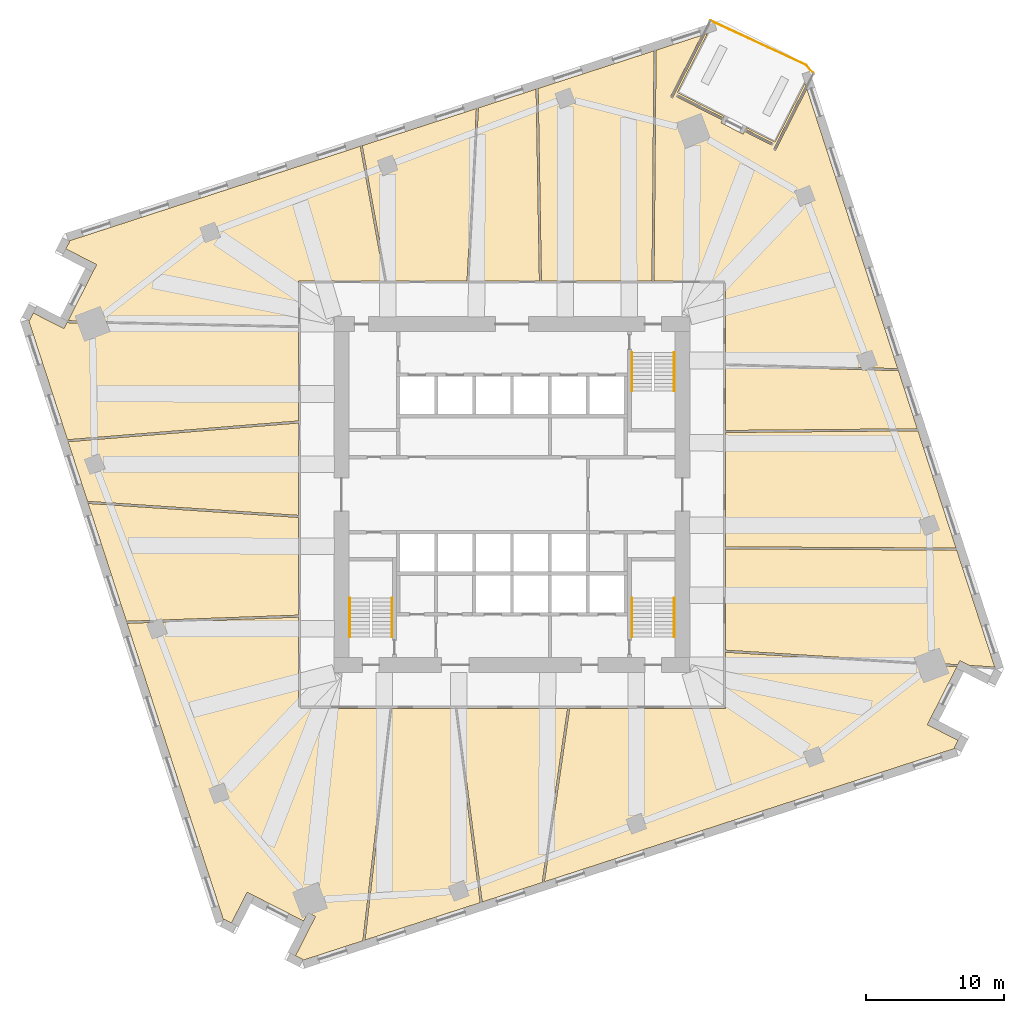
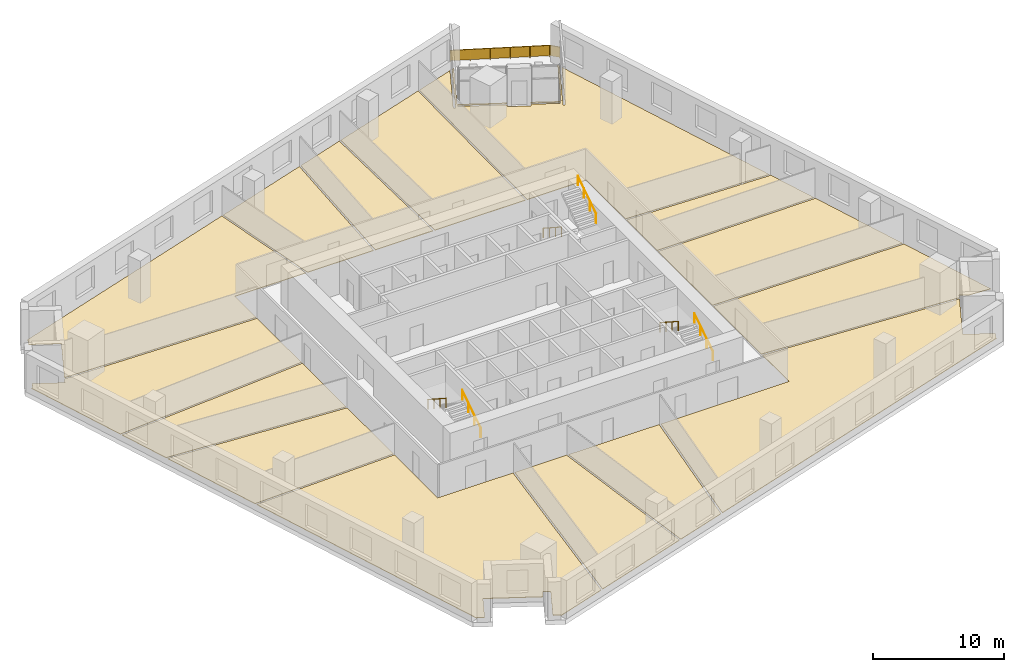
# One storey, part 11 of 12: 15 coverings, 7 railings.
"""IFC4 building model written with IfcOpenShell, lengths in metres."""

import ifcopenshell
import ifcopenshell.guid

model = None  # the IFC model being written
_history = None  # IfcOwnerHistory: only IFC2X3 demands one
_inside = {}  # id of a spatial element -> (the spatial element, [elements in it])
_under = {}  # id of a project, library or spatial element -> (it, [spatial elements below it])
_declared = {}  # id of a project -> (the project, [libraries it declares])
_typed = {}  # id of a type object -> (the type object, [elements of that type])
_made_of = {}  # id of a material, layer set ... -> (it, [elements and type objects made of it])


def new_model(schema):
    """Start an empty IFC model of exactly this schema.

    Asked for "IFC4X3", IfcOpenShell would pick the latest addendum, in which some entities
    have other attributes; the version numbers below select the first issue.
    IFC2X3 requires an IfcOwnerHistory on every rooted entity: one is made here for all.
    """
    global model, _history
    if schema == "IFC4X3":
        model = ifcopenshell.file(schema_version=(4, 3, 0, 0))
    else:
        model = ifcopenshell.file(schema=schema)
    _inside.clear()
    _under.clear()
    _declared.clear()
    _typed.clear()
    _made_of.clear()
    _history = None
    if model.schema == "IFC2X3":
        org = make("IfcOrganization", Name="unknown")
        user = make(
            "IfcPersonAndOrganization",
            ThePerson=make("IfcPerson", FamilyName="unknown"),
            TheOrganization=org,
        )
        app = make(
            "IfcApplication",
            ApplicationDeveloper=org,
            Version="unknown",
            ApplicationFullName="unknown",
            ApplicationIdentifier="unknown",
        )
        _history = make(
            "IfcOwnerHistory",
            OwningUser=user,
            OwningApplication=app,
            ChangeAction="ADDED",
            CreationDate=0,
        )
    return model


def make(cls, **values):
    """One entity of the class cls with the attributes given. An attribute that is None is left unset."""
    return model.create_entity(
        cls, **{name: value for name, value in values.items() if value is not None}
    )


def rooted(cls, **values):
    """An entity with a GlobalId (a new one), such as an element, a storey or a relation."""
    return make(cls, GlobalId=ifcopenshell.guid.new(), OwnerHistory=_history, **values)


def si_unit(unit_type, name, prefix=None):
    """IfcSIUnit, for example si_unit("LENGTHUNIT", "METRE", prefix="MILLI")."""
    return make("IfcSIUnit", UnitType=unit_type, Prefix=prefix, Name=name)


def assignment(units):
    """IfcUnitAssignment: the units of a project."""
    return None if units is None else make("IfcUnitAssignment", Units=units)


def point(xyz):
    """IfcCartesianPoint."""
    return None if xyz is None else make("IfcCartesianPoint", Coordinates=xyz)


def direction(xyz):
    """IfcDirection."""
    return None if xyz is None else make("IfcDirection", DirectionRatios=xyz)


def frame(location, z_axis=None, x_axis=None):
    """IfcAxis2Placement3D, a coordinate frame: its origin and axes. An axis left out is left unset."""
    return make(
        "IfcAxis2Placement3D",
        Location=point(location),
        Axis=direction(z_axis),
        RefDirection=direction(x_axis),
    )


def frame_2d(location, x_axis=None):
    """IfcAxis2Placement2D, a coordinate frame in the plane: its origin and x axis."""
    return make(
        "IfcAxis2Placement2D", Location=point(location), RefDirection=direction(x_axis)
    )


def origin():
    """The frame at (0, 0, 0) with its axes left unset."""
    return frame((0.0, 0.0, 0.0))


def origin_2d():
    """The frame at (0, 0) in the plane with its x axis left unset."""
    return frame_2d((0.0, 0.0))


def place(relative_to, where):
    """IfcLocalPlacement: puts the frame where relative to a parent placement (None: the world)."""
    return make(
        "IfcLocalPlacement", PlacementRelTo=relative_to, RelativePlacement=where
    )


def context(
    kind, dimensions, precision=None, world=None, true_north=None, identifier=None
):
    """IfcGeometricRepresentationContext, for example the 3D "Model" context."""
    return make(
        "IfcGeometricRepresentationContext",
        ContextIdentifier=identifier,
        ContextType=kind,
        CoordinateSpaceDimension=dimensions,
        Precision=precision,
        WorldCoordinateSystem=world,
        TrueNorth=true_north,
    )


def subcontext(parent, identifier, kind, view, scale=None):
    """IfcGeometricRepresentationSubContext, for example "Body" below "Model"."""
    return make(
        "IfcGeometricRepresentationSubContext",
        ContextIdentifier=identifier,
        ContextType=kind,
        ParentContext=parent,
        TargetScale=scale,
        TargetView=view,
    )


def project(units=None, contexts=None):
    """IfcProject with its units and contexts."""
    return rooted(
        "IfcProject",
        Name="project",
        RepresentationContexts=contexts,
        UnitsInContext=assignment(units),
    )


def spatial(cls, under=None, at=None, **own):
    """A site, building, storey or space (cls), placed at a placement, below another one or the project."""
    s = rooted(cls, ObjectPlacement=at, **own)
    if under is not None:
        _under.setdefault(under.id(), (under, []))[1].append(s)
    return s


def polyline(points):
    """IfcPolyline through the points."""
    return make("IfcPolyline", Points=[point(p) for p in points])


def profile(cls, at=None, kind="AREA", **sizes):
    """A parametric profile (cls). Its sizes go by their IFC names, for example OverallWidth=200.0."""
    return make(cls, ProfileType=kind, Position=at, **sizes)


def rectangle(**sizes):
    """IfcRectangleProfileDef."""
    return profile("IfcRectangleProfileDef", **sizes)


def circle(**sizes):
    """IfcCircleProfileDef."""
    return profile("IfcCircleProfileDef", **sizes)


def outline(outer, holes=None, kind="AREA"):
    """IfcArbitraryClosedProfileDef: a profile drawn as a closed curve; with holes, ...WithVoids."""
    if holes is None:
        return make("IfcArbitraryClosedProfileDef", ProfileType=kind, OuterCurve=outer)
    return make(
        "IfcArbitraryProfileDefWithVoids",
        ProfileType=kind,
        OuterCurve=outer,
        InnerCurves=holes,
    )


def extrude(swept, where, along, depth):
    """IfcExtrudedAreaSolid: the profile swept, set in the frame where, extruded along a direction by depth."""
    return make(
        "IfcExtrudedAreaSolid",
        SweptArea=swept,
        Position=where,
        ExtrudedDirection=direction(along),
        Depth=depth,
    )


def shape(context_of_items, identifier, shape_type, items):
    """IfcShapeRepresentation: the items that make up one representation, for example the "Body"."""
    return make(
        "IfcShapeRepresentation",
        ContextOfItems=context_of_items,
        RepresentationIdentifier=identifier,
        RepresentationType=shape_type,
        Items=items,
    )


def material(Name=None, Category=None):
    """IfcMaterial."""
    return make("IfcMaterial", Name=Name, Category=Category)


def layer(
    of_material, thickness, ventilated=None, Name=None, Category=None, Priority=None
):
    """IfcMaterialLayer: one layer of a wall or slab, of a material (None: an air gap)."""
    return make(
        "IfcMaterialLayer",
        Material=of_material,
        LayerThickness=thickness,
        IsVentilated=ventilated,
        Name=Name,
        Category=Category,
        Priority=Priority,
    )


def layer_set(layers, Name=None):
    """IfcMaterialLayerSet."""
    return make("IfcMaterialLayerSet", MaterialLayers=layers, LayerSetName=Name)


def made_of(thing, what):
    """Note that an element or type object is made of a material, layer set ...; save() writes the relation."""
    if what is not None:
        _made_of.setdefault(what.id(), (what, []))[1].append(thing)
    return thing


def type_object(cls, material=None, **own):
    """A type object (cls), such as IfcWallType, which elements share."""
    return made_of(rooted(cls, **own), material)


def element(
    cls,
    number,
    at=None,
    inside=None,
    cuts=None,
    type_object=None,
    material=None,
    context=None,
    identifier="Body",
    shape_type=None,
    held_by="IfcProductDefinitionShape",
    body=None,
    shapes=None,
    **own,
):
    """One element of the class cls, such as IfcWall. Its Tag is "e" and its number.

    at: its placement. inside: the storey or other place that contains it. cuts: it is an
    opening in that element (IfcRelVoidsElement). A single representation is given by context,
    identifier, shape_type and body (its items); several are given by shapes. held_by: the class
    of the entity that holds the representations. save() writes the other relations.
    """
    e = rooted(cls, Tag="e%d" % number, ObjectPlacement=at, **own)
    if body is not None:
        shapes = [shape(context, identifier, shape_type, body)]
    if shapes is not None:
        e.Representation = make(held_by, Representations=shapes)
    if inside is not None:
        _inside.setdefault(inside.id(), (inside, []))[1].append(e)
    if cuts is not None:
        rooted(
            "IfcRelVoidsElement", RelatingBuildingElement=cuts, RelatedOpeningElement=e
        )
    if type_object is not None:
        _typed.setdefault(type_object.id(), (type_object, []))[1].append(e)
    return made_of(e, material)


def aggregate(whole, parts):
    """IfcRelAggregates: a whole, such as a stair, and the parts it consists of."""
    return rooted("IfcRelAggregates", RelatingObject=whole, RelatedObjects=parts)


def save(model, path):
    """Write the relations noted so far, then the file.

    IfcRelAggregates (storeys below a building ...), IfcRelContainedInSpatialStructure (elements
    in a storey), IfcRelDefinesByType, IfcRelAssociatesMaterial and IfcRelDeclares: one each for
    every whole, place, type object, material and project.
    """
    for whole, parts in _under.values():
        aggregate(whole, parts)
    for where, things in _inside.values():
        rooted(
            "IfcRelContainedInSpatialStructure",
            RelatedElements=things,
            RelatingStructure=where,
        )
    for kind, things in _typed.values():
        rooted("IfcRelDefinesByType", RelatedObjects=things, RelatingType=kind)
    for what, things in _made_of.values():
        rooted("IfcRelAssociatesMaterial", RelatedObjects=things, RelatingMaterial=what)
    for by, libraries in _declared.values():
        rooted("IfcRelDeclares", RelatingContext=by, RelatedDefinitions=libraries)
    model.write(path)


model = new_model("IFC4")

# Units and contexts
model_context = context("Model", 3, precision=1e-05, world=origin(), true_north=direction((0.0, 1.0)))
body_context = subcontext(model_context, "Body", "Model", "MODEL_VIEW")
ifc_project = project(units=[si_unit("LENGTHUNIT", "METRE"), si_unit("AREAUNIT", "SQUARE_METRE"), si_unit("VOLUMEUNIT", "CUBIC_METRE"), si_unit("PLANEANGLEUNIT", "RADIAN"), si_unit("MASSUNIT", "GRAM", prefix="KILO")], contexts=[model_context])

# Site, building, storey
site_placement = place(None, origin())
site = spatial("IfcSite", under=ifc_project, at=site_placement, CompositionType="ELEMENT")
building_placement = place(site_placement, origin())
building = spatial("IfcBuilding", under=site, at=building_placement, Name="Dilmun Exchange Tower", CompositionType="ELEMENT")
storey_placement = place(building_placement, frame((0.0, 0.0, 94.10009765625)))
storey = spatial("IfcBuildingStorey", under=building, at=storey_placement, Name="L21", CompositionType="ELEMENT", Elevation=94.10009765625)

# Coverings
ifc_material_1 = material(Name="Carpet floor finish 50")
ifc_layer_1 = layer(ifc_material_1, 0.050048828125)
ifc_layer_set_1 = layer_set([ifc_layer_1], Name="Carpet floor finish 50")
covering_type_1 = type_object("IfcCoveringType", Name="Carpet floor finish 50", PredefinedType="FLOORING", material=ifc_layer_set_1)
covering_1_placement = place(storey_placement, origin())
element("IfcCovering", 1, at=covering_1_placement, inside=storey, type_object=covering_type_1, Name="Carpet floor finish 50 Open office 1", PredefinedType="FLOORING", context=body_context, shape_type="SweptSolid", body=[
    extrude(outline(polyline([(-15.47509765625, 12.090087890625), (-15.47509765625, 5.339599609375), (-32.203125, 3.977294921875), (-35.021484375, 12.650634765625), (-34.958251953125, 12.618408203125), (-34.9580078125, 12.618408203125), (-34.957763671875, 12.618408203125), (-34.95751953125, 12.618408203125), (-34.95751953125, 12.618408203125), (-34.957275390625, 12.618408203125), (-34.95703125, 12.618408203125), (-34.956787109375, 12.618408203125), (-34.956787109375, 12.618408203125), (-34.95654296875, 12.618408203125), (-34.956298828125, 12.61865234375), (-34.956298828125, 12.61865234375), (-34.9560546875, 12.618896484375), (-34.955810546875, 12.618896484375), (-34.955810546875, 12.619140625), (-34.95556640625, 12.619140625), (-34.95556640625, 12.619384765625), (-34.678955078125, 13.162353515625), (-32.453125, 12.0283203125), (-32.452880859375, 12.028076171875), (-32.45263671875, 12.028076171875), (-32.452392578125, 12.028076171875), (-32.452392578125, 12.028076171875), (-32.4521484375, 12.028076171875), (-32.451904296875, 12.028076171875), (-32.451904296875, 12.028076171875), (-32.45166015625, 12.028076171875), (-32.451416015625, 12.0283203125), (-32.451171875, 12.0283203125), (-32.451171875, 12.0283203125), (-32.450927734375, 12.028564453125), (-32.45068359375, 12.028564453125), (-32.45068359375, 12.02880859375), (-32.450439453125, 12.02880859375), (-32.450439453125, 12.029052734375), (-32.233642578125, 12.45458984375), (-15.47509765625, 12.090087890625)])), origin(), (0.0, 0.0, 1.0), 0.0498046875),
])
covering_2_placement = place(storey_placement, origin())
element("IfcCovering", 2, at=covering_2_placement, inside=storey, type_object=covering_type_1, Name="Carpet floor finish 50 Meeting room 1", PredefinedType="FLOORING", context=body_context, shape_type="SweptSolid", body=[
    extrude(outline(polyline([(-15.47509765625, -1.5), (-30.752685546875, -0.486572265625), (-32.155517578125, 3.83056640625), (-15.47509765625, 5.18896484375), (-15.47509765625, -1.5)])), origin(), (0.0, 0.0, 1.0), 0.0498046875),
])
covering_3_placement = place(storey_placement, origin())
element("IfcCovering", 3, at=covering_3_placement, inside=storey, type_object=covering_type_1, Name="Carpet floor finish 50 Advisory office", PredefinedType="FLOORING", context=body_context, shape_type="SweptSolid", body=[
    extrude(outline(polyline([(-15.47509765625, -8.725830078125), (-27.93017578125, -9.174072265625), (-30.702880859375, -0.64013671875), (-15.47509765625, -1.650390625), (-15.47509765625, -8.725830078125)])), origin(), (0.0, 0.0, 1.0), 0.0498046875),
])
covering_4_placement = place(storey_placement, origin())
element("IfcCovering", 4, at=covering_4_placement, inside=storey, type_object=covering_type_1, Name="Carpet floor finish 50 Open office 2", PredefinedType="FLOORING", context=body_context, shape_type="SweptSolid", body=[
    extrude(outline(polyline([(-9.2275390625, 15.47509765625), (-15.47509765625, 15.47509765625), (-15.47509765625, 12.239990234375), (-32.157958984375, 12.60302734375), (-30.362060546875, 16.127685546875), (-30.362060546875, 16.127685546875), (-30.089599609375, 16.662353515625), (-30.089599609375, 16.66259765625), (-30.089599609375, 16.66259765625), (-30.089599609375, 16.662841796875), (-30.089599609375, 16.6630859375), (-30.089599609375, 16.6630859375), (-30.089599609375, 16.663330078125), (-30.089599609375, 16.66357421875), (-30.089599609375, 16.663818359375), (-30.089599609375, 16.6640625), (-30.08984375, 16.664306640625), (-30.08984375, 16.664306640625), (-30.090087890625, 16.66455078125), (-30.090087890625, 16.66455078125), (-30.09033203125, 16.664794921875), (-30.09033203125, 16.664794921875), (-30.090576171875, 16.6650390625), (-32.31640625, 17.799072265625), (-32.039794921875, 18.341796875), (-32.03955078125, 18.342041015625), (-32.03955078125, 18.34228515625), (-32.03955078125, 18.34228515625), (-32.03955078125, 18.342529296875), (-32.03955078125, 18.3427734375), (-32.03955078125, 18.343017578125), (-32.03955078125, 18.34326171875), (-32.03955078125, 18.343505859375), (-32.039794921875, 18.343505859375), (-32.039794921875, 18.34375), (-32.039794921875, 18.343994140625), (-32.0400390625, 18.343994140625), (-32.0400390625, 18.34423828125), (-32.040283203125, 18.344482421875), (-32.040283203125, 18.344482421875), (-32.04052734375, 18.344482421875), (-32.103759765625, 18.376708984375), (-10.9951171875, 25.2353515625), (-9.2275390625, 15.47509765625)])), origin(), (0.0, 0.0, 1.0), 0.0498046875),
])
covering_5_placement = place(storey_placement, origin())
element("IfcCovering", 5, at=covering_5_placement, inside=storey, type_object=covering_type_1, Name="Carpet floor finish 50 Open office 3", PredefinedType="FLOORING", context=body_context, shape_type="SweptSolid", body=[
    extrude(outline(polyline([(-15.47509765625, -8.8759765625), (-15.47509765625, -15.47509765625), (-8.845703125, -15.47509765625), (-10.8037109375, -32.318115234375), (-15.1708984375, -33.7373046875), (-15.138671875, -33.674072265625), (-15.138671875, -33.673828125), (-15.138671875, -33.673583984375), (-15.138427734375, -33.673583984375), (-15.138427734375, -33.67333984375), (-15.138427734375, -33.673095703125), (-15.138427734375, -33.673095703125), (-15.138427734375, -33.6728515625), (-15.138671875, -33.672607421875), (-15.138671875, -33.67236328125), (-15.138916015625, -33.672119140625), (-15.138916015625, -33.672119140625), (-15.138916015625, -33.671875), (-15.13916015625, -33.671875), (-15.139404296875, -33.671630859375), (-15.139404296875, -33.67138671875), (-15.1396484375, -33.67138671875), (-15.682373046875, -33.394775390625), (-14.237060546875, -30.55810546875), (-14.23681640625, -30.557861328125), (-14.23681640625, -30.5576171875), (-14.23681640625, -30.5576171875), (-14.23681640625, -30.557373046875), (-14.23681640625, -30.55712890625), (-14.23681640625, -30.556884765625), (-14.23681640625, -30.556884765625), (-14.23681640625, -30.556640625), (-14.237060546875, -30.556396484375), (-14.237060546875, -30.55615234375), (-14.2373046875, -30.55615234375), (-14.2373046875, -30.555908203125), (-14.2373046875, -30.555908203125), (-14.237548828125, -30.5556640625), (-14.23779296875, -30.555419921875), (-14.23779296875, -30.555419921875), (-14.7724609375, -30.282958984375), (-14.772705078125, -30.282958984375), (-14.77294921875, -30.282958984375), (-14.77294921875, -30.28271484375), (-14.773193359375, -30.28271484375), (-14.7734375, -30.28271484375), (-14.773681640625, -30.28271484375), (-14.773681640625, -30.28271484375), (-14.77392578125, -30.282958984375), (-14.774169921875, -30.282958984375), (-14.7744140625, -30.283203125), (-14.7744140625, -30.283203125), (-14.774658203125, -30.283203125), (-14.77490234375, -30.283447265625), (-14.77490234375, -30.28369140625), (-14.775146484375, -30.28369140625), (-14.775146484375, -30.283935546875), (-15.085693359375, -30.89306640625), (-18.64794921875, -29.077880859375), (-19.1826171875, -28.8056640625), (-19.1826171875, -28.805419921875), (-19.182861328125, -28.805419921875), (-19.18310546875, -28.805419921875), (-19.18310546875, -28.805419921875), (-19.183349609375, -28.805419921875), (-19.18359375, -28.805419921875), (-19.183837890625, -28.805419921875), (-19.18408203125, -28.805419921875), (-19.18408203125, -28.8056640625), (-19.184326171875, -28.8056640625), (-19.1845703125, -28.805908203125), (-19.184814453125, -28.805908203125), (-19.184814453125, -28.805908203125), (-19.18505859375, -28.80615234375), (-19.18505859375, -28.806396484375), (-19.185302734375, -28.806396484375), (-20.319091796875, -31.0322265625), (-20.862060546875, -30.755615234375), (-20.8623046875, -30.755615234375), (-20.862548828125, -30.755615234375), (-20.86279296875, -30.75537109375), (-20.86279296875, -30.75537109375), (-20.863037109375, -30.75537109375), (-20.86328125, -30.75537109375), (-20.86328125, -30.75537109375), (-20.863525390625, -30.755615234375), (-20.86376953125, -30.755615234375), (-20.864013671875, -30.755615234375), (-20.8642578125, -30.755859375), (-20.8642578125, -30.755859375), (-20.864501953125, -30.756103515625), (-20.864501953125, -30.756103515625), (-20.86474609375, -30.75634765625), (-20.86474609375, -30.756591796875), (-20.89697265625, -30.819580078125), (-27.8818359375, -9.322509765625), (-15.47509765625, -8.8759765625)])), origin(), (0.0, 0.0, 1.0), 0.0498046875),
])
covering_6_placement = place(storey_placement, origin())
element("IfcCovering", 6, at=covering_6_placement, inside=storey, type_object=covering_type_1, Name="Carpet floor finish 50 Break-out lounge 1", PredefinedType="FLOORING", context=body_context, shape_type="SweptSolid", body=[
    extrude(outline(polyline([(-4.12060546875, -15.47509765625), (-2.30517578125, -29.556884765625), (-10.646484375, -32.267333984375), (-8.694580078125, -15.47509765625), (-4.12060546875, -15.47509765625)])), origin(), (0.0, 0.0, 1.0), 0.0498046875),
])
covering_7_placement = place(storey_placement, origin())
element("IfcCovering", 7, at=covering_7_placement, inside=storey, type_object=covering_type_1, Name="Carpet floor finish 50 Meeting room 2", PredefinedType="FLOORING", context=body_context, shape_type="SweptSolid", body=[
    extrude(outline(polyline([(2.1845703125, -28.09814453125), (-2.159912109375, -29.509765625), (-3.96923828125, -15.47509765625), (4.029052734375, -15.47509765625), (2.1845703125, -28.09814453125)])), origin(), (0.0, 0.0, 1.0), 0.0498046875),
])
covering_8_placement = place(storey_placement, origin())
element("IfcCovering", 8, at=covering_8_placement, inside=storey, type_object=covering_type_1, Name="Carpet floor finish 50 Break-out lounge 2", PredefinedType="FLOORING", context=body_context, shape_type="SweptSolid", body=[
    extrude(outline(polyline([(2.13330078125, 15.47509765625), (1.894287109375, 29.423583984375), (10.287841796875, 32.150634765625), (10.13818359375, 15.47509765625), (2.13330078125, 15.47509765625)])), origin(), (0.0, 0.0, 1.0), 0.0498046875),
])
covering_9_placement = place(storey_placement, origin())
element("IfcCovering", 9, at=covering_9_placement, inside=storey, type_object=covering_type_1, Name="Carpet floor finish 50 Open office 4", PredefinedType="FLOORING", context=body_context, shape_type="SweptSolid", body=[
    extrude(outline(polyline([(4.1806640625, -15.47509765625), (15.47509765625, -15.47509765625), (15.47509765625, -11.414794921875), (32.22802734375, -12.46533203125), (32.177978515625, -12.563720703125), (32.177978515625, -12.56396484375), (32.177978515625, -12.564208984375), (32.177734375, -12.564208984375), (30.362060546875, -16.127685546875), (30.362060546875, -16.127685546875), (30.089599609375, -16.662353515625), (30.089599609375, -16.66259765625), (30.089599609375, -16.66259765625), (30.089599609375, -16.662841796875), (30.089599609375, -16.6630859375), (30.089599609375, -16.6630859375), (30.089599609375, -16.663330078125), (30.089599609375, -16.66357421875), (30.089599609375, -16.663818359375), (30.089599609375, -16.6640625), (30.08984375, -16.664306640625), (30.08984375, -16.664306640625), (30.090087890625, -16.66455078125), (30.090087890625, -16.66455078125), (30.09033203125, -16.664794921875), (30.09033203125, -16.664794921875), (30.090576171875, -16.6650390625), (32.31640625, -17.799072265625), (32.039794921875, -18.341796875), (32.03955078125, -18.342041015625), (32.03955078125, -18.34228515625), (32.03955078125, -18.34228515625), (32.03955078125, -18.342529296875), (32.03955078125, -18.3427734375), (32.03955078125, -18.343017578125), (32.03955078125, -18.34326171875), (32.03955078125, -18.343505859375), (32.039794921875, -18.343505859375), (32.039794921875, -18.34375), (32.039794921875, -18.343994140625), (32.0400390625, -18.343994140625), (32.0400390625, -18.34423828125), (32.040283203125, -18.344482421875), (32.040283203125, -18.344482421875), (32.04052734375, -18.344482421875), (32.103759765625, -18.376708984375), (2.34375, -28.04638671875), (4.1806640625, -15.47509765625)])), origin(), (0.0, 0.0, 1.0), 0.0498046875),
])
covering_10_placement = place(storey_placement, origin())
element("IfcCovering", 10, at=covering_10_placement, inside=storey, type_object=covering_type_1, Name="Carpet floor finish 50 Garden lounge", PredefinedType="FLOORING", context=body_context, shape_type="SweptSolid", body=[
    extrude(outline(polyline([(21.22509765625, 29.809814453125), (21.28759765625, 29.617431640625), (18.937255859375, 25.004638671875), (18.937255859375, 25.00439453125), (18.93701171875, 25.00439453125), (18.93701171875, 25.004150390625), (18.93701171875, 25.00390625), (18.93701171875, 25.00390625), (18.93701171875, 25.003662109375), (18.93701171875, 25.00341796875), (18.93701171875, 25.003173828125), (18.937255859375, 25.0029296875), (18.937255859375, 25.002685546875), (18.9375, 25.002685546875), (18.9375, 25.00244140625), (18.9375, 25.00244140625), (18.937744140625, 25.002197265625), (18.93798828125, 25.002197265625), (18.93798828125, 25.001953125), (19.080810546875, 24.929443359375), (19.080810546875, 24.92919921875), (19.0810546875, 24.92919921875), (19.081298828125, 24.92919921875), (19.081298828125, 24.92919921875), (19.08154296875, 24.92919921875), (19.081787109375, 24.92919921875), (19.08203125, 24.92919921875), (19.082275390625, 24.92919921875), (19.08251953125, 24.92919921875), (19.08251953125, 24.929443359375), (19.082763671875, 24.929443359375), (19.0830078125, 24.9296875), (19.0830078125, 24.9296875), (19.083251953125, 24.929931640625), (19.083251953125, 24.93017578125), (19.08349609375, 24.930419921875), (21.359130859375, 29.39697265625), (27.9453125, 9.126708984375), (15.47509765625, 9.4873046875), (15.47509765625, 15.47509765625), (10.2880859375, 15.47509765625), (10.438232421875, 32.19970703125), (13.748046875, 33.27490234375), (11.47216796875, 28.808349609375), (11.47216796875, 28.80810546875), (11.47216796875, 28.80810546875), (11.47216796875, 28.807861328125), (11.471923828125, 28.8076171875), (11.471923828125, 28.807373046875), (11.471923828125, 28.80712890625), (11.47216796875, 28.806884765625), (11.47216796875, 28.806884765625), (11.47216796875, 28.806640625), (11.472412109375, 28.806396484375), (11.472412109375, 28.806396484375), (11.472412109375, 28.80615234375), (11.47265625, 28.805908203125), (11.472900390625, 28.805908203125), (11.472900390625, 28.8056640625), (11.47314453125, 28.8056640625), (11.61572265625, 28.73291015625), (11.615966796875, 28.73291015625), (11.615966796875, 28.73291015625), (11.6162109375, 28.73291015625), (11.616455078125, 28.73291015625), (11.61669921875, 28.73291015625), (11.61669921875, 28.73291015625), (11.616943359375, 28.73291015625), (11.6171875, 28.73291015625), (11.617431640625, 28.73291015625), (11.61767578125, 28.73291015625), (11.61767578125, 28.733154296875), (11.617919921875, 28.7333984375), (11.617919921875, 28.7333984375), (11.6181640625, 28.7333984375), (11.618408203125, 28.733642578125), (11.618408203125, 28.73388671875), (13.96875, 33.3466796875), (14.160888671875, 33.4091796875), (11.984130859375, 29.13671875), (15.380615234375, 27.406005859375), (15.315673828125, 27.27880859375), (11.986083984375, 28.975341796875), (11.98583984375, 28.975341796875), (11.985595703125, 28.975341796875), (11.985595703125, 28.975341796875), (11.9853515625, 28.9755859375), (11.985107421875, 28.9755859375), (11.98486328125, 28.9755859375), (11.984619140625, 28.975341796875), (11.984619140625, 28.975341796875), (11.984375, 28.975341796875), (11.984130859375, 28.97509765625), (11.98388671875, 28.97509765625), (11.98388671875, 28.97509765625), (11.983642578125, 28.974853515625), (11.9833984375, 28.974609375), (11.9833984375, 28.974609375), (11.9833984375, 28.974365234375), (11.91064453125, 28.831787109375), (11.91064453125, 28.83154296875), (11.91064453125, 28.83154296875), (11.910400390625, 28.831298828125), (11.910400390625, 28.8310546875), (11.910400390625, 28.830810546875), (11.910400390625, 28.830810546875), (11.910400390625, 28.83056640625), (11.91064453125, 28.830322265625), (11.91064453125, 28.830078125), (11.91064453125, 28.829833984375), (11.910888671875, 28.829833984375), (11.910888671875, 28.82958984375), (11.9111328125, 28.82958984375), (11.9111328125, 28.829345703125), (11.911376953125, 28.8291015625), (11.91162109375, 28.8291015625), (15.2412109375, 27.132568359375), (15.142333984375, 26.938232421875), (15.14208984375, 26.93798828125), (15.14208984375, 26.93798828125), (15.14208984375, 26.937744140625), (15.14208984375, 26.9375), (15.14208984375, 26.9375), (15.14208984375, 26.937255859375), (15.14208984375, 26.93701171875), (15.14208984375, 26.936767578125), (15.142333984375, 26.9365234375), (15.142333984375, 26.936279296875), (15.142578125, 26.936279296875), (15.142578125, 26.93603515625), (15.142578125, 26.93603515625), (15.142822265625, 26.935791015625), (15.14306640625, 26.935791015625), (15.143310546875, 26.935546875), (16.7470703125, 26.118408203125), (16.747314453125, 26.118408203125), (16.747314453125, 26.118408203125), (16.74755859375, 26.1181640625), (16.747802734375, 26.1181640625), (16.747802734375, 26.1181640625), (16.748046875, 26.1181640625), (16.748291015625, 26.1181640625), (16.74853515625, 26.118408203125), (16.748779296875, 26.118408203125), (16.748779296875, 26.118408203125), (16.7490234375, 26.11865234375), (16.749267578125, 26.11865234375), (16.749267578125, 26.118896484375), (16.74951171875, 26.118896484375), (16.74951171875, 26.119140625), (16.749755859375, 26.119384765625), (16.8486328125, 26.3134765625), (18.842041015625, 25.2978515625), (18.84228515625, 25.2978515625), (18.84228515625, 25.2978515625), (18.842529296875, 25.297607421875), (18.8427734375, 25.297607421875), (18.843017578125, 25.297607421875), (18.843017578125, 25.297607421875), (18.84326171875, 25.2978515625), (18.843505859375, 25.2978515625), (18.84375, 25.2978515625), (18.843994140625, 25.298095703125), (18.843994140625, 25.298095703125), (18.84423828125, 25.298095703125), (18.84423828125, 25.29833984375), (18.844482421875, 25.298583984375), (18.844482421875, 25.298583984375), (18.8447265625, 25.298828125), (18.917236328125, 25.44140625), (18.91748046875, 25.441650390625), (18.91748046875, 25.441650390625), (18.91748046875, 25.44189453125), (18.91748046875, 25.442138671875), (18.91748046875, 25.4423828125), (18.91748046875, 25.4423828125), (18.91748046875, 25.442626953125), (18.91748046875, 25.44287109375), (18.91748046875, 25.443115234375), (18.917236328125, 25.443359375), (18.917236328125, 25.443359375), (18.9169921875, 25.443603515625), (18.9169921875, 25.443603515625), (18.916748046875, 25.44384765625), (18.91650390625, 25.444091796875), (18.91650390625, 25.444091796875), (16.923095703125, 26.459716796875), (16.988037109375, 26.587158203125), (19.048095703125, 25.537353515625), (21.22509765625, 29.809814453125)])), origin(), (0.0, 0.0, 1.0), 0.0498046875),
])
covering_11_placement = place(storey_placement, origin())
element("IfcCovering", 11, at=covering_11_placement, inside=storey, type_object=covering_type_1, Name="Carpet floor finish 50 Analyst office 1", PredefinedType="FLOORING", context=body_context, shape_type="SweptSolid", body=[
    extrude(outline(polyline([(15.47509765625, 4.5), (29.408203125, 4.625), (32.168701171875, -3.87060546875), (15.47509765625, -3.780517578125), (15.47509765625, 4.5)])), origin(), (0.0, 0.0, 1.0), 0.0498046875),
])
covering_12_placement = place(storey_placement, origin())
element("IfcCovering", 12, at=covering_12_placement, inside=storey, type_object=covering_type_1, Name="Carpet floor finish 50 Analyst office 2", PredefinedType="FLOORING", context=body_context, shape_type="SweptSolid", body=[
    extrude(outline(polyline([(15.47509765625, -3.930419921875), (32.21728515625, -4.02099609375), (34.968017578125, -12.486572265625), (33.1259765625, -12.37109375), (32.453125, -12.0283203125), (32.452880859375, -12.028076171875), (32.45263671875, -12.028076171875), (32.452392578125, -12.028076171875), (32.452392578125, -12.028076171875), (32.4521484375, -12.028076171875), (32.451904296875, -12.028076171875), (32.451904296875, -12.028076171875), (32.45166015625, -12.028076171875), (32.451416015625, -12.0283203125), (32.451171875, -12.0283203125), (32.451171875, -12.0283203125), (32.450927734375, -12.028564453125), (32.45068359375, -12.028564453125), (32.45068359375, -12.02880859375), (32.450439453125, -12.02880859375), (32.450439453125, -12.029052734375), (32.302490234375, -12.319580078125), (15.47509765625, -11.264404296875), (15.47509765625, -3.930419921875)])), origin(), (0.0, 0.0, 1.0), 0.0498046875),
])

# Railings
ifc_material_2 = material(Name="Stainless steel", Category="steel")
railing_type_1 = type_object("IfcRailingType", Name="Stair handrail 900", PredefinedType="HANDRAIL", material=ifc_material_2)
railing_1_placement = place(storey_placement, frame((8.699951171875, 10.300048828125, 0.181640625)))
element("IfcRailing", 13, at=railing_1_placement, inside=storey, type_object=railing_type_1, Name="L21 ST1 stair handrail 1", PredefinedType="HANDRAIL", context=body_context, shape_type="SweptSolid", body=[
    extrude(circle(Radius=0.02392578125, at=origin_2d()), frame((0.0, 0.0, 0.8759765625), z_axis=(0.0, -0.838672427954, 0.544636170843), x_axis=(1.0, 0.0, 0.0)), (0.0, 0.0, 1.0), 3.338623046875),
    extrude(circle(Radius=0.02099609375, at=origin_2d()), origin(), (0.0, 0.0, 1.0), 0.851806640625),
    extrude(circle(Radius=0.02099609375, at=origin_2d()), frame((0.0, -0.933349609375, 0.606201171875)), (0.0, 0.0, 1.0), 0.851806640625),
    extrude(circle(Radius=0.02099609375, at=origin_2d()), frame((0.0, -1.86669921875, 1.212158203125)), (0.0, 0.0, 1.0), 0.851806640625),
    extrude(circle(Radius=0.02099609375, at=origin_2d()), frame((0.0, -2.800048828125, 1.818359375)), (0.0, 0.0, 1.0), 0.851806640625),
])
for number, where, name in (
    (14, (11.75, 7.5, 2.181640625), "L21 ST1 stair handrail 2"),
    (15, (-8.699951171875, -10.300048828125, 0.181640625), "L21 ST2 stair handrail 1"),
):
    element("IfcRailing", number, at=place(storey_placement, frame(where)), inside=storey, type_object=railing_type_1, Name=name, PredefinedType="HANDRAIL", context=body_context, shape_type="SweptSolid", body=[
        extrude(circle(Radius=0.02392578125, at=origin_2d()), frame((0.0, 0.0, 0.8759765625), z_axis=(0.0, 0.838672427954, 0.544636170843), x_axis=(-1.0, 0.0, 0.0)), (0.0, 0.0, 1.0), 3.338623046875),
        extrude(circle(Radius=0.02099609375, at=origin_2d()), origin(), (0.0, 0.0, 1.0), 0.851806640625),
        extrude(circle(Radius=0.02099609375, at=origin_2d()), frame((0.0, 0.933349609375, 0.606201171875)), (0.0, 0.0, 1.0), 0.851806640625),
        extrude(circle(Radius=0.02099609375, at=origin_2d()), frame((0.0, 1.86669921875, 1.212158203125)), (0.0, 0.0, 1.0), 0.851806640625),
        extrude(circle(Radius=0.02099609375, at=origin_2d()), frame((0.0, 2.800048828125, 1.818359375)), (0.0, 0.0, 1.0), 0.851806640625),
    ])
railing_2_placement = place(storey_placement, frame((-11.75, -7.5, 2.181640625)))
element("IfcRailing", 16, at=railing_2_placement, inside=storey, type_object=railing_type_1, Name="L21 ST2 stair handrail 2", PredefinedType="HANDRAIL", context=body_context, shape_type="SweptSolid", body=[
    extrude(circle(Radius=0.02392578125, at=origin_2d()), frame((0.0, 0.0, 0.8759765625), z_axis=(0.0, -0.838672427954, 0.544636170843), x_axis=(1.0, 0.0, 0.0)), (0.0, 0.0, 1.0), 3.338623046875),
    extrude(circle(Radius=0.02099609375, at=origin_2d()), origin(), (0.0, 0.0, 1.0), 0.851806640625),
    extrude(circle(Radius=0.02099609375, at=origin_2d()), frame((0.0, -0.933349609375, 0.606201171875)), (0.0, 0.0, 1.0), 0.851806640625),
    extrude(circle(Radius=0.02099609375, at=origin_2d()), frame((0.0, -1.86669921875, 1.212158203125)), (0.0, 0.0, 1.0), 0.851806640625),
    extrude(circle(Radius=0.02099609375, at=origin_2d()), frame((0.0, -2.800048828125, 1.818359375)), (0.0, 0.0, 1.0), 0.851806640625),
])
railing_3_placement = place(storey_placement, frame((11.75, -10.300048828125, 0.181640625)))
element("IfcRailing", 17, at=railing_3_placement, inside=storey, type_object=railing_type_1, Name="L21 ST3 stair handrail 1", PredefinedType="HANDRAIL", context=body_context, shape_type="SweptSolid", body=[
    extrude(circle(Radius=0.02392578125, at=origin_2d()), frame((0.0, 0.0, 0.8759765625), z_axis=(0.0, 0.838672427954, 0.544636170843), x_axis=(-1.0, 0.0, 0.0)), (0.0, 0.0, 1.0), 3.338623046875),
    extrude(circle(Radius=0.02099609375, at=origin_2d()), origin(), (0.0, 0.0, 1.0), 0.851806640625),
    extrude(circle(Radius=0.02099609375, at=origin_2d()), frame((0.0, 0.933349609375, 0.606201171875)), (0.0, 0.0, 1.0), 0.851806640625),
    extrude(circle(Radius=0.02099609375, at=origin_2d()), frame((0.0, 1.86669921875, 1.212158203125)), (0.0, 0.0, 1.0), 0.851806640625),
    extrude(circle(Radius=0.02099609375, at=origin_2d()), frame((0.0, 2.800048828125, 1.818359375)), (0.0, 0.0, 1.0), 0.851806640625),
])
railing_4_placement = place(storey_placement, frame((8.699951171875, -7.5, 2.181640625)))
element("IfcRailing", 18, at=railing_4_placement, inside=storey, type_object=railing_type_1, Name="L21 ST3 stair handrail 2", PredefinedType="HANDRAIL", context=body_context, shape_type="SweptSolid", body=[
    extrude(circle(Radius=0.02392578125, at=origin_2d()), frame((0.0, 0.0, 0.8759765625), z_axis=(0.0, -0.838672427954, 0.544636170843), x_axis=(1.0, 0.0, 0.0)), (0.0, 0.0, 1.0), 3.338623046875),
    extrude(circle(Radius=0.02099609375, at=origin_2d()), origin(), (0.0, 0.0, 1.0), 0.851806640625),
    extrude(circle(Radius=0.02099609375, at=origin_2d()), frame((0.0, -0.933349609375, 0.606201171875)), (0.0, 0.0, 1.0), 0.851806640625),
    extrude(circle(Radius=0.02099609375, at=origin_2d()), frame((0.0, -1.86669921875, 1.212158203125)), (0.0, 0.0, 1.0), 0.851806640625),
    extrude(circle(Radius=0.02099609375, at=origin_2d()), frame((0.0, -2.800048828125, 1.818359375)), (0.0, 0.0, 1.0), 0.851806640625),
])

# Coverings
ifc_material_3 = material(Name="Stone floor finish 50", Category="masonry")
ifc_layer_2 = layer(ifc_material_3, 0.050048828125)
ifc_layer_set_2 = layer_set([ifc_layer_2], Name="Stone floor finish 50")
covering_type_2 = type_object("IfcCoveringType", Name="Stone floor finish 50", PredefinedType="FLOORING", material=ifc_layer_set_2)
covering_13_placement = place(storey_placement, origin())
element("IfcCovering", 19, at=covering_13_placement, inside=storey, type_object=covering_type_2, Name="Stone floor finish 50 Reception 1", PredefinedType="FLOORING", context=body_context, shape_type="SweptSolid", body=[
    extrude(outline(polyline([(-10.851318359375, 25.2822265625), (-2.581787109375, 27.968994140625), (-3.2607421875, 15.47509765625), (-9.074951171875, 15.47509765625), (-10.851318359375, 25.2822265625)])), origin(), (0.0, 0.0, 1.0), 0.0498046875),
])
covering_14_placement = place(storey_placement, origin())
element("IfcCovering", 20, at=covering_14_placement, inside=storey, type_object=covering_type_2, Name="Stone floor finish 50 Reception 2", PredefinedType="FLOORING", context=body_context, shape_type="SweptSolid", body=[
    extrude(outline(polyline([(-3.110595703125, 15.47509765625), (-2.4287109375, 28.018798828125), (1.7451171875, 29.375), (1.9833984375, 15.47509765625), (-3.110595703125, 15.47509765625)])), origin(), (0.0, 0.0, 1.0), 0.0498046875),
])
covering_15_placement = place(storey_placement, origin())
element("IfcCovering", 21, at=covering_15_placement, inside=storey, type_object=covering_type_2, Name="Stone floor finish 50 Reception 3", PredefinedType="FLOORING", context=body_context, shape_type="SweptSolid", body=[
    extrude(outline(polyline([(15.47509765625, 9.337158203125), (27.99462890625, 8.975341796875), (29.359619140625, 4.774658203125), (15.47509765625, 4.64990234375), (15.47509765625, 9.337158203125)])), origin(), (0.0, 0.0, 1.0), 0.0498046875),
])

# Railing
railing_type_2 = type_object("IfcRailingType", Name="Terrace guard 1100 stainless steel", PredefinedType="GUARDRAIL", material=ifc_material_2)
railing_5_placement = place(storey_placement, frame((14.381103515625, 34.336669921875, 0.0)))
element("IfcRailing", 22, at=railing_5_placement, inside=storey, type_object=railing_type_2, Name="Terrace guard 1", PredefinedType="GUARDRAIL", context=body_context, shape_type="SweptSolid", body=[
    extrude(circle(Radius=0.02392578125, at=origin_2d()), frame((0.0, 0.0, 1.076171875), z_axis=(0.906816593314, -0.42152540385, 0.0), x_axis=(0.42152540385, 0.906816593314, 0.0)), (0.0, 0.0, 1.0), 7.63818359375),
    extrude(rectangle(XDim=0.011962890625, YDim=0.951904296875, at=origin_2d()), frame((0.0, 0.0, 0.576171875), z_axis=(0.906816593314, -0.42152540385, 0.0), x_axis=(0.42152540385, 0.906816593314, 0.0)), (0.0, 0.0, 1.0), 7.63818359375),
    extrude(circle(Radius=0.02392578125, at=origin_2d()), frame((6.926513671875, -3.2197265625, 1.076171875), z_axis=(0.678101344974, -0.734968411529, 0.0), x_axis=(0.734968411529, 0.678101344974, 0.0)), (0.0, 0.0, 1.0), 0.794189453125),
    extrude(rectangle(XDim=0.011962890625, YDim=0.951904296875, at=origin_2d()), frame((6.926513671875, -3.2197265625, 0.576171875), z_axis=(0.678101344974, -0.734968411529, 0.0), x_axis=(0.734968411529, 0.678101344974, 0.0)), (0.0, 0.0, 1.0), 0.794189453125),
    extrude(circle(Radius=0.02099609375, at=origin_2d()), origin(), (0.0, 0.0, 1.0), 1.052001953125),
    extrude(circle(Radius=0.02099609375, at=origin_2d()), frame((1.38525390625, -0.64404296875, 0.0)), (0.0, 0.0, 1.0), 1.052001953125),
    extrude(circle(Radius=0.02099609375, at=origin_2d()), frame((2.7705078125, -1.287841796875, 0.0)), (0.0, 0.0, 1.0), 1.052001953125),
    extrude(circle(Radius=0.02099609375, at=origin_2d()), frame((4.156005859375, -1.931884765625, 0.0)), (0.0, 0.0, 1.0), 1.052001953125),
    extrude(circle(Radius=0.02099609375, at=origin_2d()), frame((5.541259765625, -2.57568359375, 0.0)), (0.0, 0.0, 1.0), 1.052001953125),
    extrude(circle(Radius=0.02099609375, at=origin_2d()), frame((6.926513671875, -3.2197265625, 0.0)), (0.0, 0.0, 1.0), 1.052001953125),
    extrude(circle(Radius=0.02099609375, at=origin_2d()), frame((7.465087890625, -3.803466796875, 0.0)), (0.0, 0.0, 1.0), 1.052001953125),
])

save(model, "model.ifc")
